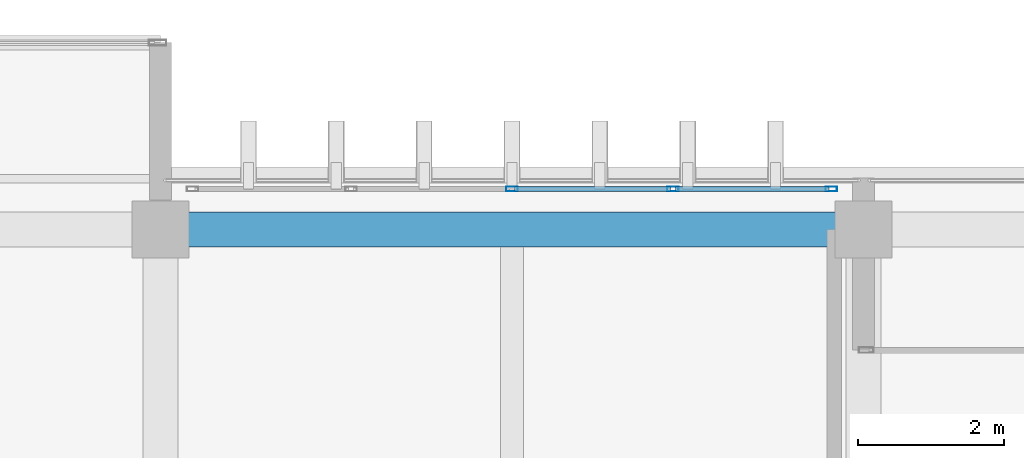
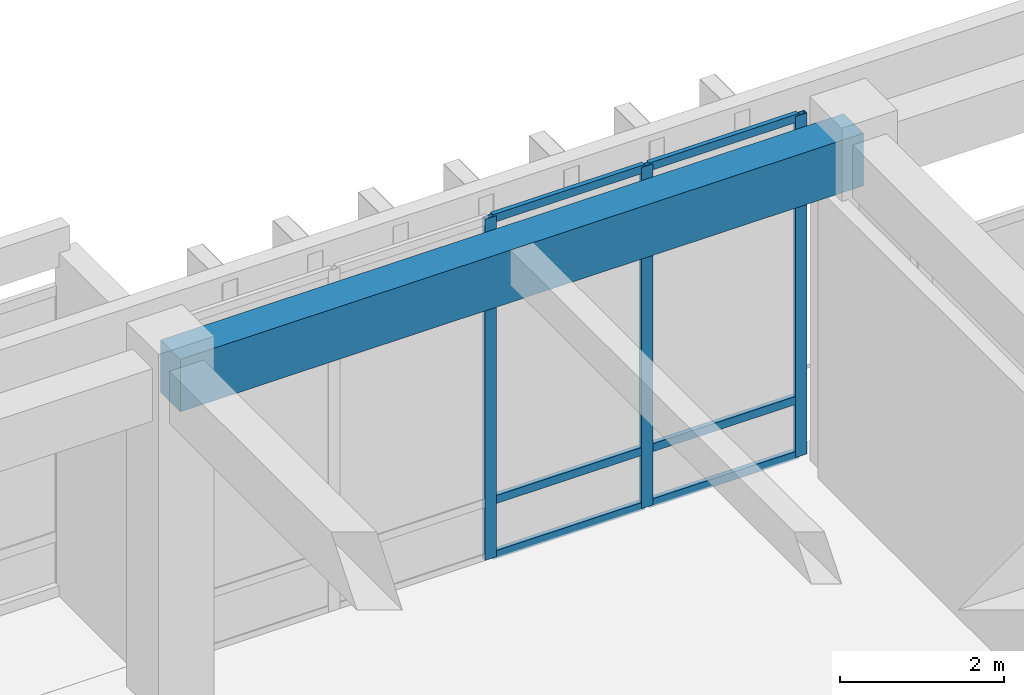
# One storey, part 51 of 134: 9 members, 1 beam, 1 element without a shape of its own.
"""IFC4 building model written with IfcOpenShell, lengths in metres."""

from ifc_helpers import new_model, si_unit, direction, frame, origin, origin_2d, place, context, subcontext, project, spatial, rectangle, hollow_rectangle, extrude, material, layer, layer_set, material_profile, profile_set, type_object, element, aggregate, save


model = new_model("IFC4")

# Units and contexts
model_context = context("Model", 3, precision=1e-05, world=origin(), true_north=direction((0.0, 1.0)))
body_context = subcontext(model_context, "Body", "Model", "MODEL_VIEW")
ifc_project = project(units=[si_unit("LENGTHUNIT", "METRE"), si_unit("AREAUNIT", "SQUARE_METRE"), si_unit("VOLUMEUNIT", "CUBIC_METRE"), si_unit("PLANEANGLEUNIT", "RADIAN"), si_unit("MASSUNIT", "GRAM", prefix="KILO")], contexts=[model_context])

# Site, building, storey
site_placement = place(None, origin())
site = spatial("IfcSite", under=ifc_project, at=site_placement, CompositionType="ELEMENT")
building_placement = place(site_placement, origin())
building = spatial("IfcBuilding", under=site, at=building_placement, Name="Nakhvara Creek Congress Hotel", CompositionType="ELEMENT")
storey_placement = place(building_placement, frame((0.0, 0.0, 6.0)))
storey = spatial("IfcBuildingStorey", under=building, at=storey_placement, Name="L01", CompositionType="ELEMENT", Elevation=6.0)

# Beam
ifc_material_1 = material(Name="Concrete C40/50", Category="concrete")
ifc_material_profile_1 = material_profile(ifc_material_1, rectangle(XDim=0.47998046875, YDim=0.780029296875, at=origin_2d()), Name="RC-BM 480x780", Category="LoadBearing")
ifc_profile_set_1 = profile_set([ifc_material_profile_1], Name="Concrete C40/50")
beam_type = type_object("IfcBeamType", Name="BM-RC-480X780", PredefinedType="BEAM", material=ifc_profile_set_1)
beam_placement = place(storey_placement, frame((86.39990234375, 95.25, 4.7099609375), z_axis=(1.0, 0.0, 0.0), x_axis=(0.0, 1.0, 0.0)))
element("IfcBeam", 1, at=beam_placement, inside=storey, type_object=beam_type, Name="Beam B13-L01-1176", PredefinedType="BEAM", context=body_context, shape_type="SweptSolid", body=[
    extrude(rectangle(XDim=0.47998046875, YDim=0.780029296875, at=origin_2d()), origin(), (0.0, 0.0, 1.0), 9.60009765625),
])

# Curtain wall, members
ifc_material_2 = material(Name="Bronze-anodised aluminium AW-6063-T6 and double-silver low-E glass", Category="aluminium")
ifc_layer = layer(ifc_material_2, 0.199951171875)
ifc_layer_set = layer_set([ifc_layer], Name="Bronze-anodised aluminium AW-6063-T6 and double-silver low-E glass")
curtain_wall_type = type_object("IfcCurtainWallType", Name="CW-POD-STICK", PredefinedType="NOTDEFINED", material=ifc_layer_set)
curtain_wall_placement = place(storey_placement, origin())
curtain_wall = element("IfcCurtainWall", 2, at=curtain_wall_placement, inside=storey, type_object=curtain_wall_type, Name="Curtain Wall CW070", PredefinedType="NOTDEFINED")
ifc_material_3 = material(Name="Bronze-anodised aluminium AW-6063-T6", Category="aluminium")
ifc_material_profile_2 = material_profile(ifc_material_3, hollow_rectangle(XDim=0.06494140625, YDim=0.159912109375, WallThickness=0.00390625, at=origin_2d()), Name="ALU-MULL 65x160x4", Category="LoadBearing")
ifc_profile_set_2 = profile_set([ifc_material_profile_2], Name="Bronze-anodised aluminium AW-6063-T6")
member_type_1 = type_object("IfcMemberType", Name="CW-MULL-160", PredefinedType="MULLION", material=ifc_profile_set_2)
member_1_placement = place(storey_placement, frame((91.199951171875, 95.800048828125, 0.0), z_axis=(0.0, 0.0, 1.0), x_axis=(0.0, 1.0, 0.0)))
member_1 = element("IfcMember", 3, at=member_1_placement, type_object=member_type_1, Name="CW070 mullion 3", PredefinedType="MULLION", context=body_context, shape_type="SweptSolid", body=[
    extrude(hollow_rectangle(XDim=0.06494140625, YDim=0.159912109375, WallThickness=0.00390625, at=origin_2d()), origin(), (0.0, 0.0, 1.0), 5.070068359375),
])
member_2_placement = place(storey_placement, frame((93.3974609375, 95.800048828125, 0.0), z_axis=(0.0, 0.0, 1.0), x_axis=(0.0, 1.0, 0.0)))
member_2 = element("IfcMember", 4, at=member_2_placement, type_object=member_type_1, Name="CW070 mullion 4", PredefinedType="MULLION", context=body_context, shape_type="SweptSolid", body=[
    extrude(hollow_rectangle(XDim=0.06494140625, YDim=0.159912109375, WallThickness=0.00390625, at=origin_2d()), origin(), (0.0, 0.0, 1.0), 5.070068359375),
])
member_3_placement = place(storey_placement, frame((95.5625, 95.800048828125, 0.0), z_axis=(0.0, 0.0, 1.0), x_axis=(0.0, 1.0, 0.0)))
member_3 = element("IfcMember", 5, at=member_3_placement, type_object=member_type_1, Name="CW070 mullion 5", PredefinedType="MULLION", context=body_context, shape_type="SweptSolid", body=[
    extrude(hollow_rectangle(XDim=0.06494140625, YDim=0.159912109375, WallThickness=0.00390625, at=origin_2d()), origin(), (0.0, 0.0, 1.0), 5.070068359375),
])
ifc_material_profile_3 = material_profile(ifc_material_3, hollow_rectangle(XDim=0.06494140625, YDim=0.1201171875, WallThickness=0.00390625, at=origin_2d()), Name="ALU-TRAN 65x120x4", Category="LoadBearing")
ifc_profile_set_3 = profile_set([ifc_material_profile_3], Name="Bronze-anodised aluminium AW-6063-T6")
member_type_2 = type_object("IfcMemberType", Name="CW-TRAN-120", PredefinedType="USERDEFINED", material=ifc_profile_set_3)
member_4_placement = place(storey_placement, frame((91.232421875, 95.800048828125, 0.032470703125), z_axis=(1.0, 0.0, 0.0), x_axis=(0.0, 1.0, 0.0)))
member_4 = element("IfcMember", 6, at=member_4_placement, type_object=member_type_2, Name="CW070 transom 3.1", ObjectType="TRANSOM", PredefinedType="USERDEFINED", context=body_context, shape_type="SweptSolid", body=[
    extrude(hollow_rectangle(XDim=0.06494140625, YDim=0.1201171875, WallThickness=0.00390625, at=origin_2d()), origin(), (0.0, 0.0, 1.0), 2.132568359375),
])
member_5_placement = place(storey_placement, frame((91.232421875, 95.800048828125, 0.85009765625), z_axis=(1.0, 0.0, 0.0), x_axis=(0.0, 1.0, 0.0)))
member_5 = element("IfcMember", 7, at=member_5_placement, type_object=member_type_2, Name="CW070 transom 3.2", ObjectType="TRANSOM", PredefinedType="USERDEFINED", context=body_context, shape_type="SweptSolid", body=[
    extrude(hollow_rectangle(XDim=0.06494140625, YDim=0.1201171875, WallThickness=0.00390625, at=origin_2d()), origin(), (0.0, 0.0, 1.0), 2.132568359375),
])
member_6_placement = place(storey_placement, frame((91.232421875, 95.800048828125, 5.03759765625), z_axis=(1.0, 0.0, 0.0), x_axis=(0.0, 1.0, 0.0)))
member_6 = element("IfcMember", 8, at=member_6_placement, type_object=member_type_2, Name="CW070 transom 3.3", ObjectType="TRANSOM", PredefinedType="USERDEFINED", context=body_context, shape_type="SweptSolid", body=[
    extrude(hollow_rectangle(XDim=0.06494140625, YDim=0.1201171875, WallThickness=0.00390625, at=origin_2d()), origin(), (0.0, 0.0, 1.0), 2.132568359375),
])
member_7_placement = place(storey_placement, frame((93.429931640625, 95.800048828125, 0.032470703125), z_axis=(1.0, 0.0, 0.0), x_axis=(0.0, 1.0, 0.0)))
member_7 = element("IfcMember", 9, at=member_7_placement, type_object=member_type_2, Name="CW070 transom 4.1", ObjectType="TRANSOM", PredefinedType="USERDEFINED", context=body_context, shape_type="SweptSolid", body=[
    extrude(hollow_rectangle(XDim=0.06494140625, YDim=0.1201171875, WallThickness=0.00390625, at=origin_2d()), origin(), (0.0, 0.0, 1.0), 2.10009765625),
])
member_8_placement = place(storey_placement, frame((93.429931640625, 95.800048828125, 0.85009765625), z_axis=(1.0, 0.0, 0.0), x_axis=(0.0, 1.0, 0.0)))
member_8 = element("IfcMember", 10, at=member_8_placement, type_object=member_type_2, Name="CW070 transom 4.2", ObjectType="TRANSOM", PredefinedType="USERDEFINED", context=body_context, shape_type="SweptSolid", body=[
    extrude(hollow_rectangle(XDim=0.06494140625, YDim=0.1201171875, WallThickness=0.00390625, at=origin_2d()), origin(), (0.0, 0.0, 1.0), 2.10009765625),
])
member_9_placement = place(storey_placement, frame((93.429931640625, 95.800048828125, 5.03759765625), z_axis=(1.0, 0.0, 0.0), x_axis=(0.0, 1.0, 0.0)))
member_9 = element("IfcMember", 11, at=member_9_placement, type_object=member_type_2, Name="CW070 transom 4.3", ObjectType="TRANSOM", PredefinedType="USERDEFINED", context=body_context, shape_type="SweptSolid", body=[
    extrude(hollow_rectangle(XDim=0.06494140625, YDim=0.1201171875, WallThickness=0.00390625, at=origin_2d()), origin(), (0.0, 0.0, 1.0), 2.10009765625),
])
aggregate(curtain_wall, [member_1, member_2, member_3, member_4, member_5, member_6, member_7, member_8, member_9])

save(model, "model.ifc")
